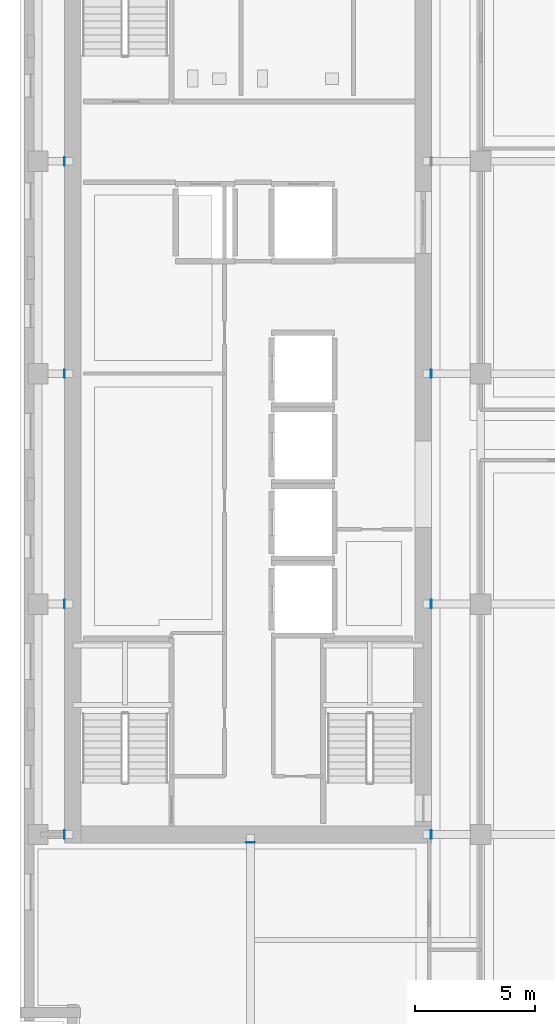
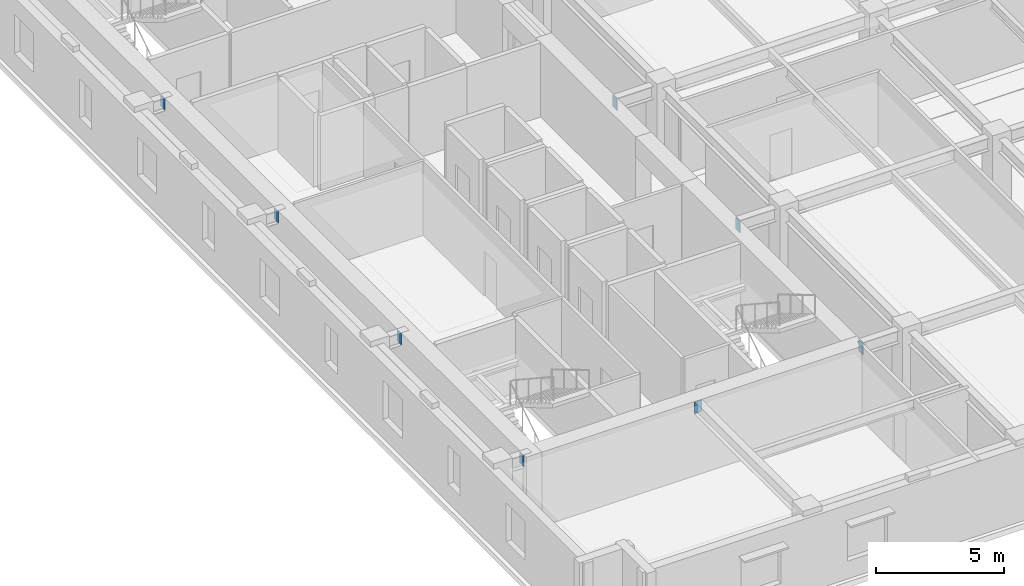
# One storey, part 8 of 14: 8 discrete accessories.
"""IFC4 building model written with IfcOpenShell, lengths in metres."""

from ifc_helpers import new_model, si_unit, direction, frame, origin, origin_2d, place, context, subcontext, project, spatial, rectangle, extrude, material, layer, layer_set, type_object, element, save


model = new_model("IFC4")

# Units and contexts
model_context = context("Model", 3, precision=1e-05, world=origin(), true_north=direction((0.0, 1.0)))
body_context = subcontext(model_context, "Body", "Model", "MODEL_VIEW")
ifc_project = project(units=[si_unit("LENGTHUNIT", "METRE"), si_unit("AREAUNIT", "SQUARE_METRE"), si_unit("VOLUMEUNIT", "CUBIC_METRE"), si_unit("PLANEANGLEUNIT", "RADIAN"), si_unit("MASSUNIT", "GRAM", prefix="KILO")], contexts=[model_context])

# Site, building, storey
site_placement = place(None, origin())
site = spatial("IfcSite", under=ifc_project, at=site_placement, CompositionType="ELEMENT")
building_placement = place(site_placement, origin())
building = spatial("IfcBuilding", under=site, at=building_placement, Name="Norrvale University Quadrangle", CompositionType="ELEMENT")
storey_placement = place(building_placement, frame((0.0, 0.0, 214.199951171875)))
storey = spatial("IfcBuildingStorey", under=building, at=storey_placement, Name="L54", CompositionType="ELEMENT", Elevation=214.199951171875)

# Discrete accessories
ifc_material = material(Name="Steel 350W", Category="steel")
ifc_layer = layer(ifc_material, 0.02490234375, Name="Steel 350W")
ifc_layer_set = layer_set([ifc_layer], Name="Steel 350W")
discrete_accessory_type = type_object("IfcDiscreteAccessoryType", Name="Accessory Cast In Embed Plate", PredefinedType="ANCHORPLATE", material=ifc_layer_set)
for number, where, z_axis, x_axis, name in (
    (1, (1.862548828125, 9.60009765625, 2.9599609375), (0.0, 0.0, 1.0), (1.0, 0.0, 0.0), "Core Wall Cast-in Embed Plate L54-GCW051"),
    (2, (17.137451171875, 9.60009765625, 2.9599609375), (0.0, 0.0, 1.0), (1.0, 0.0, 0.0), "Core Wall Cast-in Embed Plate L54-GCE052"),
    (3, (1.862548828125, 19.199951171875, 2.9599609375), (0.0, 0.0, 1.0), (1.0, 0.0, 0.0), "Core Wall Cast-in Embed Plate L54-GCW053"),
    (4, (17.137451171875, 19.199951171875, 2.9599609375), (0.0, 0.0, 1.0), (1.0, 0.0, 0.0), "Core Wall Cast-in Embed Plate L54-GCE054"),
    (5, (1.862548828125, 28.800048828125, 2.9599609375), (0.0, 0.0, 1.0), (1.0, 0.0, 0.0), "Core Wall Cast-in Embed Plate L54-GCW055"),
    (6, (17.137451171875, 28.800048828125, 2.9599609375), (0.0, 0.0, 1.0), (1.0, 0.0, 0.0), "Core Wall Cast-in Embed Plate L54-GCE056"),
    (7, (1.862548828125, 37.64990234375, 2.9599609375), (0.0, 0.0, 1.0), (1.0, 0.0, 0.0), "Core Wall Cast-in Embed Plate L54-GCW057"),
):
    element("IfcDiscreteAccessory", number, at=place(storey_placement, frame(where, z_axis=z_axis, x_axis=x_axis)), inside=storey, type_object=discrete_accessory_type, Name=name, PredefinedType="ANCHORPLATE", context=body_context, shape_type="SweptSolid", body=[
        extrude(rectangle(XDim=0.02490234375, YDim=0.35009765625, at=origin_2d()), origin(), (0.0, 0.0, 1.0), 0.5400390625),
    ])
discrete_accessory_placement = place(storey_placement, frame((9.60009765625, 9.262451171875, 2.9599609375), z_axis=(0.0, 0.0, 1.0), x_axis=(1.0, 0.0, 0.0)))
element("IfcDiscreteAccessory", 8, at=discrete_accessory_placement, inside=storey, type_object=discrete_accessory_type, Name="Core Wall Cast-in Embed Plate L54-GCS077", PredefinedType="ANCHORPLATE", context=body_context, shape_type="SweptSolid", body=[
    extrude(rectangle(XDim=0.35009765625, YDim=0.02490234375, at=origin_2d()), origin(), (0.0, 0.0, 1.0), 0.5400390625),
])

save(model, "model.ifc")
